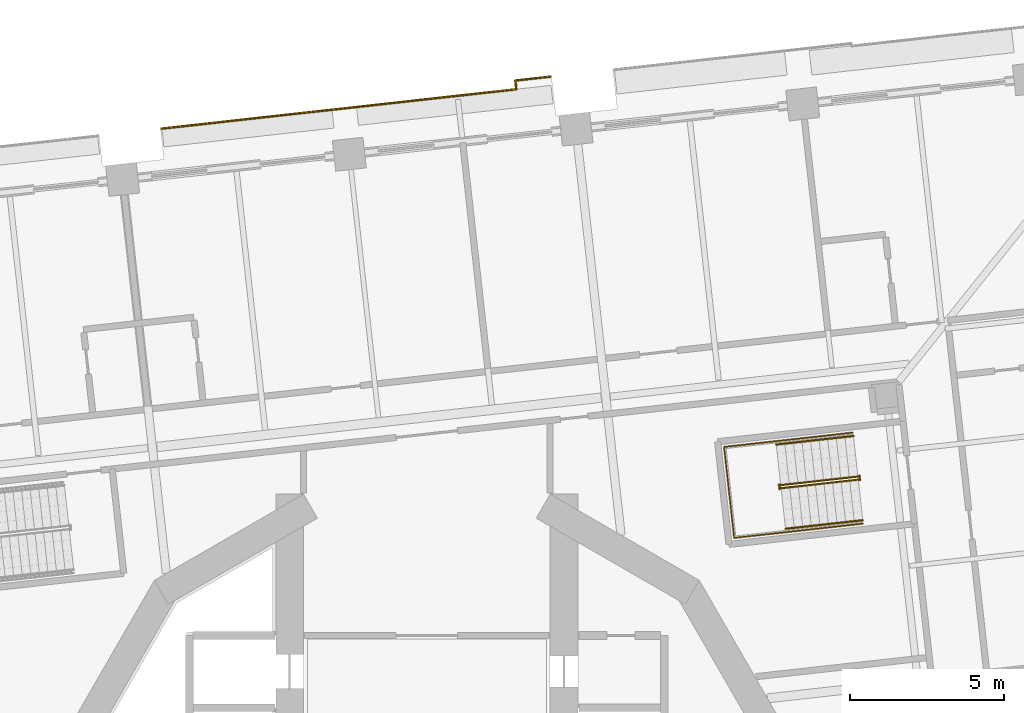
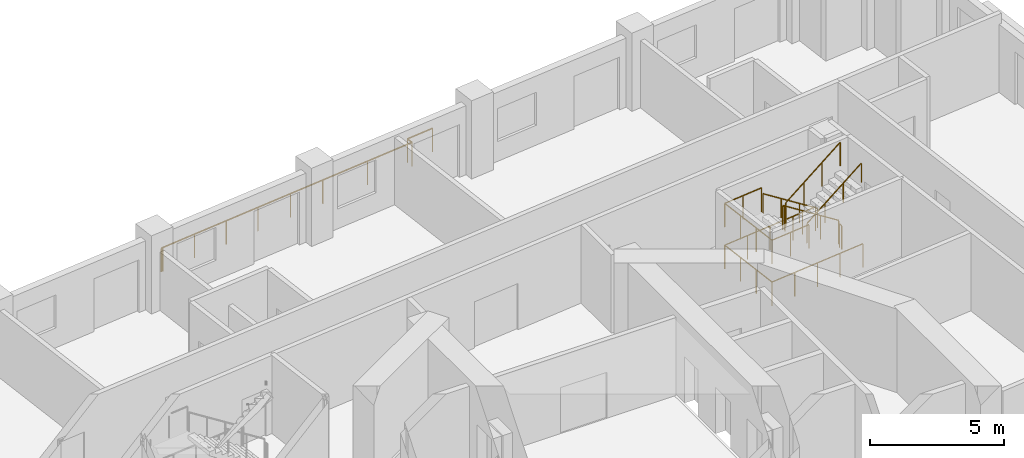
# One storey, part 19 of 21: 8 railings.
"""IFC4 building model written with IfcOpenShell, lengths in metres."""

import ifcopenshell
import ifcopenshell.guid

model = None  # the IFC model being written
_history = None  # IfcOwnerHistory: only IFC2X3 demands one
_inside = {}  # id of a spatial element -> (the spatial element, [elements in it])
_under = {}  # id of a project, library or spatial element -> (it, [spatial elements below it])
_declared = {}  # id of a project -> (the project, [libraries it declares])
_typed = {}  # id of a type object -> (the type object, [elements of that type])
_made_of = {}  # id of a material, layer set ... -> (it, [elements and type objects made of it])


def new_model(schema):
    """Start an empty IFC model of exactly this schema.

    Asked for "IFC4X3", IfcOpenShell would pick the latest addendum, in which some entities
    have other attributes; the version numbers below select the first issue.
    IFC2X3 requires an IfcOwnerHistory on every rooted entity: one is made here for all.
    """
    global model, _history
    if schema == "IFC4X3":
        model = ifcopenshell.file(schema_version=(4, 3, 0, 0))
    else:
        model = ifcopenshell.file(schema=schema)
    _inside.clear()
    _under.clear()
    _declared.clear()
    _typed.clear()
    _made_of.clear()
    _history = None
    if model.schema == "IFC2X3":
        org = make("IfcOrganization", Name="unknown")
        user = make(
            "IfcPersonAndOrganization",
            ThePerson=make("IfcPerson", FamilyName="unknown"),
            TheOrganization=org,
        )
        app = make(
            "IfcApplication",
            ApplicationDeveloper=org,
            Version="unknown",
            ApplicationFullName="unknown",
            ApplicationIdentifier="unknown",
        )
        _history = make(
            "IfcOwnerHistory",
            OwningUser=user,
            OwningApplication=app,
            ChangeAction="ADDED",
            CreationDate=0,
        )
    return model


def make(cls, **values):
    """One entity of the class cls with the attributes given. An attribute that is None is left unset."""
    return model.create_entity(
        cls, **{name: value for name, value in values.items() if value is not None}
    )


def rooted(cls, **values):
    """An entity with a GlobalId (a new one), such as an element, a storey or a relation."""
    return make(cls, GlobalId=ifcopenshell.guid.new(), OwnerHistory=_history, **values)


def si_unit(unit_type, name, prefix=None):
    """IfcSIUnit, for example si_unit("LENGTHUNIT", "METRE", prefix="MILLI")."""
    return make("IfcSIUnit", UnitType=unit_type, Prefix=prefix, Name=name)


def assignment(units):
    """IfcUnitAssignment: the units of a project."""
    return None if units is None else make("IfcUnitAssignment", Units=units)


def point(xyz):
    """IfcCartesianPoint."""
    return None if xyz is None else make("IfcCartesianPoint", Coordinates=xyz)


def direction(xyz):
    """IfcDirection."""
    return None if xyz is None else make("IfcDirection", DirectionRatios=xyz)


def frame(location, z_axis=None, x_axis=None):
    """IfcAxis2Placement3D, a coordinate frame: its origin and axes. An axis left out is left unset."""
    return make(
        "IfcAxis2Placement3D",
        Location=point(location),
        Axis=direction(z_axis),
        RefDirection=direction(x_axis),
    )


def frame_2d(location, x_axis=None):
    """IfcAxis2Placement2D, a coordinate frame in the plane: its origin and x axis."""
    return make(
        "IfcAxis2Placement2D", Location=point(location), RefDirection=direction(x_axis)
    )


def origin():
    """The frame at (0, 0, 0) with its axes left unset."""
    return frame((0.0, 0.0, 0.0))


def origin_2d():
    """The frame at (0, 0) in the plane with its x axis left unset."""
    return frame_2d((0.0, 0.0))


def place(relative_to, where):
    """IfcLocalPlacement: puts the frame where relative to a parent placement (None: the world)."""
    return make(
        "IfcLocalPlacement", PlacementRelTo=relative_to, RelativePlacement=where
    )


def context(
    kind, dimensions, precision=None, world=None, true_north=None, identifier=None
):
    """IfcGeometricRepresentationContext, for example the 3D "Model" context."""
    return make(
        "IfcGeometricRepresentationContext",
        ContextIdentifier=identifier,
        ContextType=kind,
        CoordinateSpaceDimension=dimensions,
        Precision=precision,
        WorldCoordinateSystem=world,
        TrueNorth=true_north,
    )


def subcontext(parent, identifier, kind, view, scale=None):
    """IfcGeometricRepresentationSubContext, for example "Body" below "Model"."""
    return make(
        "IfcGeometricRepresentationSubContext",
        ContextIdentifier=identifier,
        ContextType=kind,
        ParentContext=parent,
        TargetScale=scale,
        TargetView=view,
    )


def project(units=None, contexts=None):
    """IfcProject with its units and contexts."""
    return rooted(
        "IfcProject",
        Name="project",
        RepresentationContexts=contexts,
        UnitsInContext=assignment(units),
    )


def spatial(cls, under=None, at=None, **own):
    """A site, building, storey or space (cls), placed at a placement, below another one or the project."""
    s = rooted(cls, ObjectPlacement=at, **own)
    if under is not None:
        _under.setdefault(under.id(), (under, []))[1].append(s)
    return s


def profile(cls, at=None, kind="AREA", **sizes):
    """A parametric profile (cls). Its sizes go by their IFC names, for example OverallWidth=200.0."""
    return make(cls, ProfileType=kind, Position=at, **sizes)


def circle(**sizes):
    """IfcCircleProfileDef."""
    return profile("IfcCircleProfileDef", **sizes)


def extrude(swept, where, along, depth):
    """IfcExtrudedAreaSolid: the profile swept, set in the frame where, extruded along a direction by depth."""
    return make(
        "IfcExtrudedAreaSolid",
        SweptArea=swept,
        Position=where,
        ExtrudedDirection=direction(along),
        Depth=depth,
    )


def shape(context_of_items, identifier, shape_type, items):
    """IfcShapeRepresentation: the items that make up one representation, for example the "Body"."""
    return make(
        "IfcShapeRepresentation",
        ContextOfItems=context_of_items,
        RepresentationIdentifier=identifier,
        RepresentationType=shape_type,
        Items=items,
    )


def material(Name=None, Category=None):
    """IfcMaterial."""
    return make("IfcMaterial", Name=Name, Category=Category)


def made_of(thing, what):
    """Note that an element or type object is made of a material, layer set ...; save() writes the relation."""
    if what is not None:
        _made_of.setdefault(what.id(), (what, []))[1].append(thing)
    return thing


def type_object(cls, material=None, **own):
    """A type object (cls), such as IfcWallType, which elements share."""
    return made_of(rooted(cls, **own), material)


def element(
    cls,
    number,
    at=None,
    inside=None,
    cuts=None,
    type_object=None,
    material=None,
    context=None,
    identifier="Body",
    shape_type=None,
    held_by="IfcProductDefinitionShape",
    body=None,
    shapes=None,
    **own,
):
    """One element of the class cls, such as IfcWall. Its Tag is "e" and its number.

    at: its placement. inside: the storey or other place that contains it. cuts: it is an
    opening in that element (IfcRelVoidsElement). A single representation is given by context,
    identifier, shape_type and body (its items); several are given by shapes. held_by: the class
    of the entity that holds the representations. save() writes the other relations.
    """
    e = rooted(cls, Tag="e%d" % number, ObjectPlacement=at, **own)
    if body is not None:
        shapes = [shape(context, identifier, shape_type, body)]
    if shapes is not None:
        e.Representation = make(held_by, Representations=shapes)
    if inside is not None:
        _inside.setdefault(inside.id(), (inside, []))[1].append(e)
    if cuts is not None:
        rooted(
            "IfcRelVoidsElement", RelatingBuildingElement=cuts, RelatedOpeningElement=e
        )
    if type_object is not None:
        _typed.setdefault(type_object.id(), (type_object, []))[1].append(e)
    return made_of(e, material)


def aggregate(whole, parts):
    """IfcRelAggregates: a whole, such as a stair, and the parts it consists of."""
    return rooted("IfcRelAggregates", RelatingObject=whole, RelatedObjects=parts)


def save(model, path):
    """Write the relations noted so far, then the file.

    IfcRelAggregates (storeys below a building ...), IfcRelContainedInSpatialStructure (elements
    in a storey), IfcRelDefinesByType, IfcRelAssociatesMaterial and IfcRelDeclares: one each for
    every whole, place, type object, material and project.
    """
    for whole, parts in _under.values():
        aggregate(whole, parts)
    for where, things in _inside.values():
        rooted(
            "IfcRelContainedInSpatialStructure",
            RelatedElements=things,
            RelatingStructure=where,
        )
    for kind, things in _typed.values():
        rooted("IfcRelDefinesByType", RelatedObjects=things, RelatingType=kind)
    for what, things in _made_of.values():
        rooted("IfcRelAssociatesMaterial", RelatedObjects=things, RelatingMaterial=what)
    for by, libraries in _declared.values():
        rooted("IfcRelDeclares", RelatingContext=by, RelatedDefinitions=libraries)
    model.write(path)


model = new_model("IFC4")

# Units and contexts
model_context = context("Model", 3, precision=1e-05, world=origin(), true_north=direction((0.0, 1.0)))
body_context = subcontext(model_context, "Body", "Model", "MODEL_VIEW")
ifc_project = project(units=[si_unit("LENGTHUNIT", "METRE"), si_unit("AREAUNIT", "SQUARE_METRE"), si_unit("VOLUMEUNIT", "CUBIC_METRE"), si_unit("PLANEANGLEUNIT", "RADIAN"), si_unit("MASSUNIT", "GRAM", prefix="KILO")], contexts=[model_context])

# Site, building, storey
site_placement = place(None, origin())
site = spatial("IfcSite", under=ifc_project, at=site_placement, CompositionType="ELEMENT")
building_placement = place(site_placement, origin())
building = spatial("IfcBuilding", under=site, at=building_placement, Name="Cantera Rosa Tower", CompositionType="ELEMENT")
storey_placement = place(building_placement, frame((0.0, 0.0, 72.89990234375)))
storey = spatial("IfcBuildingStorey", under=building, at=storey_placement, Name="L15", CompositionType="ELEMENT", Elevation=72.89990234375)

# Railings
ifc_material_1 = material(Name="Stainless steel and laminated glass", Category="steel")
railing_type_1 = type_object("IfcRailingType", Name="GUARD 1100", PredefinedType="BALUSTRADE", material=ifc_material_1)
railing_1_placement = place(storey_placement, frame((-8.6142578125, 23.4931640625, 0.0)))
element("IfcRailing", 1, at=railing_1_placement, inside=storey, type_object=railing_type_1, Name="GUARD L15-6", PredefinedType="BALUSTRADE", context=body_context, shape_type="SweptSolid", body=[
    extrude(circle(Radius=0.030029296875, at=origin_2d()), frame((0.0, 0.0, 1.070068359375), z_axis=(0.994136314057, 0.108134125389, 0.0), x_axis=(-0.108134125389, 0.994136314057, 0.0)), (0.0, 0.0, 1.0), 0.070068359375),
    extrude(circle(Radius=0.030029296875, at=origin_2d()), frame((0.069580078125, 0.007568359375, 1.070068359375), z_axis=(0.993891851654, 0.110358448777, 0.0), x_axis=(-0.110358448777, 0.993891851654, 0.0)), (0.0, 0.0, 1.0), 4.400146484375),
    extrude(circle(Radius=0.030029296875, at=origin_2d()), frame((4.44287109375, 0.4931640625, 1.070068359375), z_axis=(0.993901585709, 0.110270748271, 0.0), x_axis=(-0.110270748271, 0.993901585709, 0.0)), (0.0, 0.0, 1.0), 3.0),
    extrude(circle(Radius=0.030029296875, at=origin_2d()), frame((7.424560546875, 0.823974609375, 1.070068359375), z_axis=(0.993898197765, 0.110301280499, 0.0), x_axis=(-0.110301280499, 0.993898197765, 0.0)), (0.0, 0.0, 1.0), 4.11474609375),
    extrude(circle(Radius=0.030029296875, at=origin_2d()), frame((11.51416015625, 1.27783203125, 1.070068359375), z_axis=(-0.110431526075, 0.993883734674, 0.0), x_axis=(-0.993883734674, -0.110431526075, 0.0)), (0.0, 0.0, 1.0), 0.28515625),
    extrude(circle(Radius=0.030029296875, at=origin_2d()), frame((11.482666015625, 1.561279296875, 1.070068359375), z_axis=(0.993896614033, 0.110315550186, 0.0), x_axis=(-0.110315550186, 0.993896614033, 0.0)), (0.0, 0.0, 1.0), 1.1552734375),
    extrude(circle(Radius=0.02490234375, at=origin_2d()), origin(), (0.0, 0.0, 1.0), 1.0400390625),
    extrude(circle(Radius=0.02490234375, at=origin_2d()), frame((0.069580078125, 0.007568359375, 0.0)), (0.0, 0.0, 1.0), 1.0400390625),
    extrude(circle(Radius=0.02490234375, at=origin_2d()), frame((1.52734375, 0.16943359375, 0.0)), (0.0, 0.0, 1.0), 1.0400390625),
    extrude(circle(Radius=0.02490234375, at=origin_2d()), frame((2.985107421875, 0.331298828125, 0.0)), (0.0, 0.0, 1.0), 1.0400390625),
    extrude(circle(Radius=0.02490234375, at=origin_2d()), frame((4.44287109375, 0.4931640625, 0.0)), (0.0, 0.0, 1.0), 1.0400390625),
    extrude(circle(Radius=0.02490234375, at=origin_2d()), frame((5.93359375, 0.65869140625, 0.0)), (0.0, 0.0, 1.0), 1.0400390625),
    extrude(circle(Radius=0.02490234375, at=origin_2d()), frame((7.424560546875, 0.823974609375, 0.0)), (0.0, 0.0, 1.0), 1.0400390625),
    extrude(circle(Radius=0.02490234375, at=origin_2d()), frame((9.46923828125, 1.05078125, 0.0)), (0.0, 0.0, 1.0), 1.0400390625),
    extrude(circle(Radius=0.02490234375, at=origin_2d()), frame((11.51416015625, 1.27783203125, 0.0)), (0.0, 0.0, 1.0), 1.0400390625),
    extrude(circle(Radius=0.02490234375, at=origin_2d()), frame((11.482666015625, 1.561279296875, 0.0)), (0.0, 0.0, 1.0), 1.0400390625),
    extrude(circle(Radius=0.02490234375, at=origin_2d()), frame((12.630859375, 1.688720703125, 0.0)), (0.0, 0.0, 1.0), 1.0400390625),
])
ifc_material_2 = material(Name="Steel S355J2 (EN 10025-2)", Category="steel")
railing_type_2 = type_object("IfcRailingType", Name="STAIR GUARD 1100", PredefinedType="GUARDRAIL", material=ifc_material_2)
railing_2_placement = place(storey_placement, frame((13.986083984375, 12.203125, 0.190185546875)))
element("IfcRailing", 2, at=railing_2_placement, inside=storey, type_object=railing_type_2, Name="L15 ST-11 stair guard 1", PredefinedType="GUARDRAIL", context=body_context, shape_type="SweptSolid", body=[
    extrude(circle(Radius=0.02392578125, at=origin_2d()), frame((0.0, 0.0, 1.076171875), z_axis=(-0.822431337597, -0.091310000343, 0.561488360321), x_axis=(0.110346460196, -0.993893182753, 0.0)), (0.0, 0.0, 1.0), 3.04541015625),
    extrude(circle(Radius=0.02392578125, at=origin_2d()), frame((-2.504638671875, -0.278076171875, 2.7861328125), z_axis=(-0.931434406233, 0.363909256389, 0.0), x_axis=(-0.363909256389, -0.931434406233, 0.0)), (0.0, 0.0, 1.0), 0.056396484375),
    extrude(circle(Radius=0.02392578125, at=origin_2d()), frame((-2.55712890625, -0.257568359375, 2.7861328125), z_axis=(0.1090029065, -0.994041430915, 0.0), x_axis=(0.994041430915, 0.1090029065, 0.0)), (0.0, 0.0, 1.0), 0.150146484375),
    extrude(circle(Radius=0.02099609375, at=origin_2d()), origin(), (0.0, 0.0, 1.0), 1.052001953125),
    extrude(circle(Radius=0.02099609375, at=origin_2d()), frame((-0.8349609375, -0.0927734375, 0.570068359375)), (0.0, 0.0, 1.0), 1.052001953125),
    extrude(circle(Radius=0.02099609375, at=origin_2d()), frame((-1.669677734375, -0.185302734375, 1.139892578125)), (0.0, 0.0, 1.0), 1.052001953125),
    extrude(circle(Radius=0.02099609375, at=origin_2d()), frame((-2.504638671875, -0.278076171875, 1.7099609375)), (0.0, 0.0, 1.0), 1.052001953125),
    extrude(circle(Radius=0.02099609375, at=origin_2d()), frame((-2.55712890625, -0.257568359375, 1.7099609375)), (0.0, 0.0, 1.0), 1.052001953125),
    extrude(circle(Radius=0.02099609375, at=origin_2d()), frame((-2.540771484375, -0.40673828125, 1.7099609375)), (0.0, 0.0, 1.0), 1.052001953125),
])
railing_3_placement = place(storey_placement, frame((11.4921875, 11.82763671875, 2.090087890625)))
element("IfcRailing", 3, at=railing_3_placement, inside=storey, type_object=railing_type_2, Name="L15 ST-11 stair guard 2", PredefinedType="GUARDRAIL", context=body_context, shape_type="SweptSolid", body=[
    extrude(circle(Radius=0.02392578125, at=origin_2d()), frame((0.0, 0.0, 1.076171875), z_axis=(0.822431337597, 0.091310000343, 0.561488360321), x_axis=(-0.110346460196, 0.993893182753, 0.0)), (0.0, 0.0, 1.0), 3.04541015625),
    extrude(circle(Radius=0.02099609375, at=origin_2d()), origin(), (0.0, 0.0, 1.0), 1.052001953125),
    extrude(circle(Radius=0.02099609375, at=origin_2d()), frame((0.8349609375, 0.0927734375, 0.570068359375)), (0.0, 0.0, 1.0), 1.052001953125),
    extrude(circle(Radius=0.02099609375, at=origin_2d()), frame((1.669677734375, 0.185302734375, 1.139892578125)), (0.0, 0.0, 1.0), 1.052001953125),
    extrude(circle(Radius=0.02099609375, at=origin_2d()), frame((2.504638671875, 0.278076171875, 1.7099609375)), (0.0, 0.0, 1.0), 1.052001953125),
])
railing_4_placement = place(storey_placement, frame((14.032958984375, 12.234375, 0.0)))
element("IfcRailing", 4, at=railing_4_placement, inside=storey, type_object=railing_type_2, Name="L15 ST-11 stair guard 3", PredefinedType="GUARDRAIL", context=body_context, shape_type="SweptSolid", body=[
    extrude(circle(Radius=0.02392578125, at=origin_2d()), frame((0.0, 0.0, 1.076171875), z_axis=(0.109179471459, -0.994022053584, 0.0), x_axis=(0.994022053584, 0.109179471459, 0.0)), (0.0, 0.0, 1.0), 0.14990234375),
    extrude(circle(Radius=0.02099609375, at=origin_2d()), origin(), (0.0, 0.0, 1.0), 1.052001953125),
    extrude(circle(Radius=0.02099609375, at=origin_2d()), frame((0.016357421875, -0.14892578125, 0.0)), (0.0, 0.0, 1.0), 1.052001953125),
])
railing_5_placement = place(storey_placement, frame((13.815673828125, 13.629150390625, 0.0)))
element("IfcRailing", 5, at=railing_5_placement, inside=storey, type_object=railing_type_2, Name="L15 ST-11 stair guard 4", PredefinedType="GUARDRAIL", context=body_context, shape_type="SweptSolid", body=[
    extrude(circle(Radius=0.02392578125, at=origin_2d()), frame((0.0, 0.0, 1.076171875), z_axis=(-0.9938957856, -0.110323013767, 0.0), x_axis=(0.110323013767, -0.9938957856, 0.0)), (0.0, 0.0, 1.0), 4.197998046875),
    extrude(circle(Radius=0.02392578125, at=origin_2d()), frame((-4.17236328125, -0.463134765625, 1.076171875), z_axis=(0.110314237986, -0.993896759678, 0.0), x_axis=(0.993896759678, 0.110314237986, 0.0)), (0.0, 0.0, 1.0), 2.969970703125),
    extrude(circle(Radius=0.02392578125, at=origin_2d()), frame((-3.8447265625, -3.4150390625, 1.076171875), z_axis=(0.9938957856, 0.110323013767, 0.0), x_axis=(-0.110323013767, 0.9938957856, 0.0)), (0.0, 0.0, 1.0), 4.197998046875),
    extrude(circle(Radius=0.02099609375, at=origin_2d()), origin(), (0.0, 0.0, 1.0), 1.052001953125),
    extrude(circle(Radius=0.02099609375, at=origin_2d()), frame((-1.04296875, -0.11572265625, 0.0)), (0.0, 0.0, 1.0), 1.052001953125),
    extrude(circle(Radius=0.02099609375, at=origin_2d()), frame((-2.086181640625, -0.2314453125, 0.0)), (0.0, 0.0, 1.0), 1.052001953125),
    extrude(circle(Radius=0.02099609375, at=origin_2d()), frame((-3.12939453125, -0.347412109375, 0.0)), (0.0, 0.0, 1.0), 1.052001953125),
    extrude(circle(Radius=0.02099609375, at=origin_2d()), frame((-4.17236328125, -0.463134765625, 0.0)), (0.0, 0.0, 1.0), 1.052001953125),
    extrude(circle(Radius=0.02099609375, at=origin_2d()), frame((-4.063232421875, -1.447021484375, 0.0)), (0.0, 0.0, 1.0), 1.052001953125),
    extrude(circle(Radius=0.02099609375, at=origin_2d()), frame((-3.953857421875, -2.43115234375, 0.0)), (0.0, 0.0, 1.0), 1.052001953125),
    extrude(circle(Radius=0.02099609375, at=origin_2d()), frame((-3.8447265625, -3.4150390625, 0.0)), (0.0, 0.0, 1.0), 1.052001953125),
    extrude(circle(Radius=0.02099609375, at=origin_2d()), frame((-2.8017578125, -3.29931640625, 0.0)), (0.0, 0.0, 1.0), 1.052001953125),
    extrude(circle(Radius=0.02099609375, at=origin_2d()), frame((-1.758544921875, -3.18359375, 0.0)), (0.0, 0.0, 1.0), 1.052001953125),
    extrude(circle(Radius=0.02099609375, at=origin_2d()), frame((-0.71533203125, -3.067626953125, 0.0)), (0.0, 0.0, 1.0), 1.052001953125),
    extrude(circle(Radius=0.02099609375, at=origin_2d()), frame((0.32763671875, -2.951904296875, 0.0)), (0.0, 0.0, 1.0), 1.052001953125),
])
railing_6_placement = place(storey_placement, frame((11.3349609375, 13.353759765625, 1.900146484375)))
element("IfcRailing", 6, at=railing_6_placement, inside=storey, type_object=railing_type_2, Name="L15 ST-11 stair guard 5", PredefinedType="GUARDRAIL", context=body_context, shape_type="SweptSolid", body=[
    extrude(circle(Radius=0.02392578125, at=origin_2d()), frame((0.0, 0.0, 1.076171875), z_axis=(-0.993897720867, -0.110305577623, 0.0), x_axis=(0.110305577623, -0.993897720867, 0.0)), (0.0, 0.0, 1.0), 1.7021484375),
    extrude(circle(Radius=0.02392578125, at=origin_2d()), frame((-1.691650390625, -0.187744140625, 1.076171875), z_axis=(0.110314237986, -0.993896759678, 0.0), x_axis=(0.993896759678, 0.110314237986, 0.0)), (0.0, 0.0, 1.0), 2.969970703125),
    extrude(circle(Radius=0.02392578125, at=origin_2d()), frame((-1.364013671875, -3.1396484375, 1.076171875), z_axis=(0.993897720867, 0.110305577623, 0.0), x_axis=(-0.110305577623, 0.993897720867, 0.0)), (0.0, 0.0, 1.0), 1.7021484375),
    extrude(circle(Radius=0.02099609375, at=origin_2d()), origin(), (0.0, 0.0, 1.0), 1.052001953125),
    extrude(circle(Radius=0.02099609375, at=origin_2d()), frame((-0.845703125, -0.09375, 0.0)), (0.0, 0.0, 1.0), 1.052001953125),
    extrude(circle(Radius=0.02099609375, at=origin_2d()), frame((-1.691650390625, -0.187744140625, 0.0)), (0.0, 0.0, 1.0), 1.052001953125),
    extrude(circle(Radius=0.02099609375, at=origin_2d()), frame((-1.58251953125, -1.171630859375, 0.0)), (0.0, 0.0, 1.0), 1.052001953125),
    extrude(circle(Radius=0.02099609375, at=origin_2d()), frame((-1.47314453125, -2.15576171875, 0.0)), (0.0, 0.0, 1.0), 1.052001953125),
    extrude(circle(Radius=0.02099609375, at=origin_2d()), frame((-1.364013671875, -3.1396484375, 0.0)), (0.0, 0.0, 1.0), 1.052001953125),
    extrude(circle(Radius=0.02099609375, at=origin_2d()), frame((-0.51806640625, -3.0458984375, 0.0)), (0.0, 0.0, 1.0), 1.052001953125),
    extrude(circle(Radius=0.02099609375, at=origin_2d()), frame((0.32763671875, -2.951904296875, 0.0)), (0.0, 0.0, 1.0), 1.052001953125),
])
ifc_material_3 = material(Name="Steel S355J2 (EN 10025-2)", Category="steel")
railing_type_3 = type_object("IfcRailingType", Name="STAIR HANDRAIL 900", PredefinedType="HANDRAIL", material=ifc_material_3)
railing_7_placement = place(storey_placement, frame((13.83984375, 13.52099609375, 0.190185546875)))
element("IfcRailing", 7, at=railing_7_placement, inside=storey, type_object=railing_type_3, Name="L15 ST-11 stair handrail 1", PredefinedType="HANDRAIL", context=body_context, shape_type="SweptSolid", body=[
    extrude(circle(Radius=0.02392578125, at=origin_2d()), frame((0.0, 0.0, 0.8759765625), z_axis=(-0.822437355244, -0.09123050105, 0.561492468674), x_axis=(0.110250758185, -0.993903803353, 0.0)), (0.0, 0.0, 1.0), 3.04541015625),
    extrude(circle(Radius=0.02099609375, at=origin_2d()), origin(), (0.0, 0.0, 1.0), 0.851806640625),
    extrude(circle(Radius=0.02099609375, at=origin_2d()), frame((-0.8349609375, -0.092529296875, 0.570068359375)), (0.0, 0.0, 1.0), 0.851806640625),
    extrude(circle(Radius=0.02099609375, at=origin_2d()), frame((-1.669677734375, -0.185302734375, 1.139892578125)), (0.0, 0.0, 1.0), 0.851806640625),
    extrude(circle(Radius=0.02099609375, at=origin_2d()), frame((-2.504638671875, -0.27783203125, 1.7099609375)), (0.0, 0.0, 1.0), 0.851806640625),
])
railing_8_placement = place(storey_placement, frame((11.638427734375, 10.509765625, 2.090087890625)))
element("IfcRailing", 8, at=railing_8_placement, inside=storey, type_object=railing_type_3, Name="L15 ST-11 stair handrail 2", PredefinedType="HANDRAIL", context=body_context, shape_type="SweptSolid", body=[
    extrude(circle(Radius=0.02392578125, at=origin_2d()), frame((0.0, 0.0, 0.8759765625), z_axis=(0.822431337597, 0.091310000343, 0.561488360321), x_axis=(-0.110346460196, 0.993893182753, 0.0)), (0.0, 0.0, 1.0), 3.04541015625),
    extrude(circle(Radius=0.02099609375, at=origin_2d()), origin(), (0.0, 0.0, 1.0), 0.851806640625),
    extrude(circle(Radius=0.02099609375, at=origin_2d()), frame((0.8349609375, 0.0927734375, 0.570068359375)), (0.0, 0.0, 1.0), 0.851806640625),
    extrude(circle(Radius=0.02099609375, at=origin_2d()), frame((1.669677734375, 0.185302734375, 1.139892578125)), (0.0, 0.0, 1.0), 0.851806640625),
    extrude(circle(Radius=0.02099609375, at=origin_2d()), frame((2.504638671875, 0.278076171875, 1.7099609375)), (0.0, 0.0, 1.0), 0.851806640625),
])

save(model, "model.ifc")
